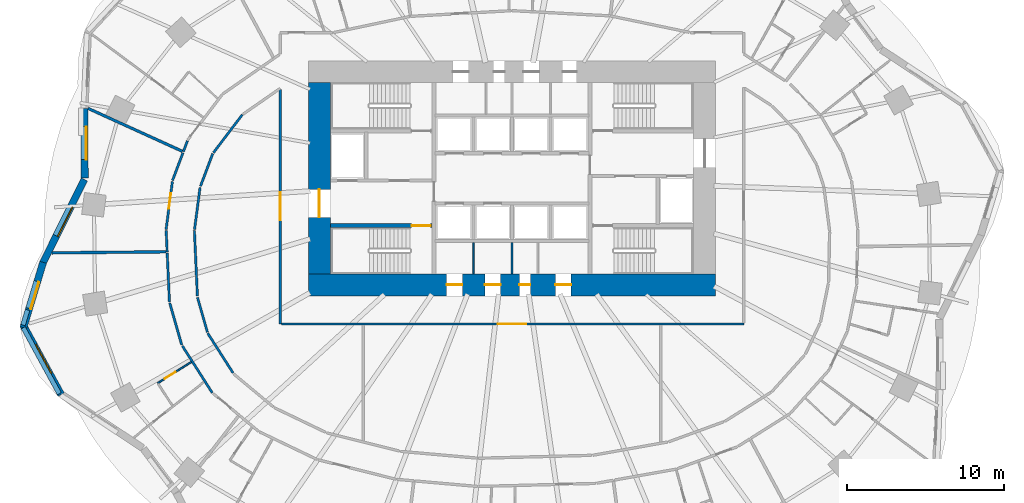
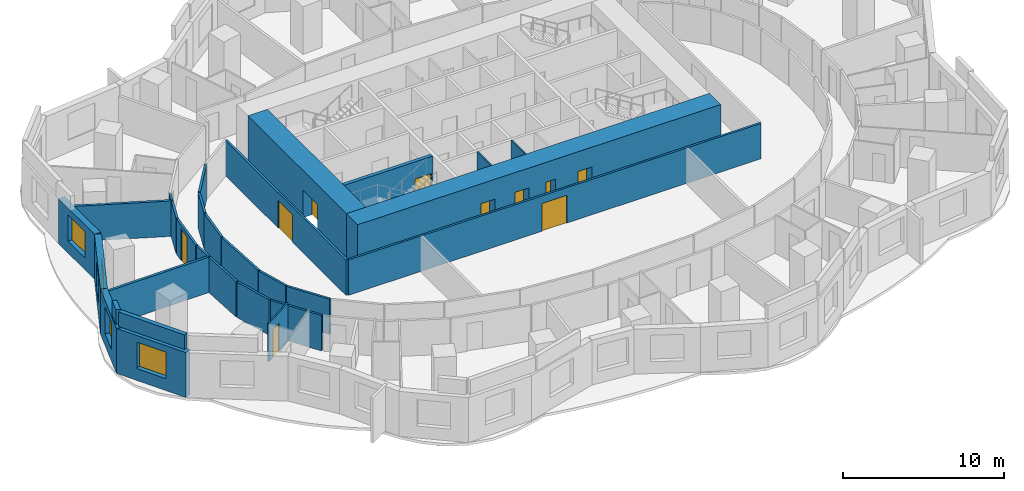
# One storey, part 4 of 11: 29 walls, 10 doors, 4 windows, 14 openings.
"""IFC4 building model written with IfcOpenShell, lengths in metres."""

import ifcopenshell
import ifcopenshell.guid

model = None  # the IFC model being written
_history = None  # IfcOwnerHistory: only IFC2X3 demands one
_inside = {}  # id of a spatial element -> (the spatial element, [elements in it])
_under = {}  # id of a project, library or spatial element -> (it, [spatial elements below it])
_declared = {}  # id of a project -> (the project, [libraries it declares])
_typed = {}  # id of a type object -> (the type object, [elements of that type])
_made_of = {}  # id of a material, layer set ... -> (it, [elements and type objects made of it])


def new_model(schema):
    """Start an empty IFC model of exactly this schema.

    Asked for "IFC4X3", IfcOpenShell would pick the latest addendum, in which some entities
    have other attributes; the version numbers below select the first issue.
    IFC2X3 requires an IfcOwnerHistory on every rooted entity: one is made here for all.
    """
    global model, _history
    if schema == "IFC4X3":
        model = ifcopenshell.file(schema_version=(4, 3, 0, 0))
    else:
        model = ifcopenshell.file(schema=schema)
    _inside.clear()
    _under.clear()
    _declared.clear()
    _typed.clear()
    _made_of.clear()
    _history = None
    if model.schema == "IFC2X3":
        org = make("IfcOrganization", Name="unknown")
        user = make(
            "IfcPersonAndOrganization",
            ThePerson=make("IfcPerson", FamilyName="unknown"),
            TheOrganization=org,
        )
        app = make(
            "IfcApplication",
            ApplicationDeveloper=org,
            Version="unknown",
            ApplicationFullName="unknown",
            ApplicationIdentifier="unknown",
        )
        _history = make(
            "IfcOwnerHistory",
            OwningUser=user,
            OwningApplication=app,
            ChangeAction="ADDED",
            CreationDate=0,
        )
    return model


def make(cls, **values):
    """One entity of the class cls with the attributes given. An attribute that is None is left unset."""
    return model.create_entity(
        cls, **{name: value for name, value in values.items() if value is not None}
    )


def rooted(cls, **values):
    """An entity with a GlobalId (a new one), such as an element, a storey or a relation."""
    return make(cls, GlobalId=ifcopenshell.guid.new(), OwnerHistory=_history, **values)


def si_unit(unit_type, name, prefix=None):
    """IfcSIUnit, for example si_unit("LENGTHUNIT", "METRE", prefix="MILLI")."""
    return make("IfcSIUnit", UnitType=unit_type, Prefix=prefix, Name=name)


def assignment(units):
    """IfcUnitAssignment: the units of a project."""
    return None if units is None else make("IfcUnitAssignment", Units=units)


def point(xyz):
    """IfcCartesianPoint."""
    return None if xyz is None else make("IfcCartesianPoint", Coordinates=xyz)


def direction(xyz):
    """IfcDirection."""
    return None if xyz is None else make("IfcDirection", DirectionRatios=xyz)


def frame(location, z_axis=None, x_axis=None):
    """IfcAxis2Placement3D, a coordinate frame: its origin and axes. An axis left out is left unset."""
    return make(
        "IfcAxis2Placement3D",
        Location=point(location),
        Axis=direction(z_axis),
        RefDirection=direction(x_axis),
    )


def frame_2d(location, x_axis=None):
    """IfcAxis2Placement2D, a coordinate frame in the plane: its origin and x axis."""
    return make(
        "IfcAxis2Placement2D", Location=point(location), RefDirection=direction(x_axis)
    )


def origin():
    """The frame at (0, 0, 0) with its axes left unset."""
    return frame((0.0, 0.0, 0.0))


def place(relative_to, where):
    """IfcLocalPlacement: puts the frame where relative to a parent placement (None: the world)."""
    return make(
        "IfcLocalPlacement", PlacementRelTo=relative_to, RelativePlacement=where
    )


def context(
    kind, dimensions, precision=None, world=None, true_north=None, identifier=None
):
    """IfcGeometricRepresentationContext, for example the 3D "Model" context."""
    return make(
        "IfcGeometricRepresentationContext",
        ContextIdentifier=identifier,
        ContextType=kind,
        CoordinateSpaceDimension=dimensions,
        Precision=precision,
        WorldCoordinateSystem=world,
        TrueNorth=true_north,
    )


def subcontext(parent, identifier, kind, view, scale=None):
    """IfcGeometricRepresentationSubContext, for example "Body" below "Model"."""
    return make(
        "IfcGeometricRepresentationSubContext",
        ContextIdentifier=identifier,
        ContextType=kind,
        ParentContext=parent,
        TargetScale=scale,
        TargetView=view,
    )


def project(units=None, contexts=None):
    """IfcProject with its units and contexts."""
    return rooted(
        "IfcProject",
        Name="project",
        RepresentationContexts=contexts,
        UnitsInContext=assignment(units),
    )


def spatial(cls, under=None, at=None, **own):
    """A site, building, storey or space (cls), placed at a placement, below another one or the project."""
    s = rooted(cls, ObjectPlacement=at, **own)
    if under is not None:
        _under.setdefault(under.id(), (under, []))[1].append(s)
    return s


def profile(cls, at=None, kind="AREA", **sizes):
    """A parametric profile (cls). Its sizes go by their IFC names, for example OverallWidth=200.0."""
    return make(cls, ProfileType=kind, Position=at, **sizes)


def rectangle(**sizes):
    """IfcRectangleProfileDef."""
    return profile("IfcRectangleProfileDef", **sizes)


def extrude(swept, where, along, depth):
    """IfcExtrudedAreaSolid: the profile swept, set in the frame where, extruded along a direction by depth."""
    return make(
        "IfcExtrudedAreaSolid",
        SweptArea=swept,
        Position=where,
        ExtrudedDirection=direction(along),
        Depth=depth,
    )


def shape(context_of_items, identifier, shape_type, items):
    """IfcShapeRepresentation: the items that make up one representation, for example the "Body"."""
    return make(
        "IfcShapeRepresentation",
        ContextOfItems=context_of_items,
        RepresentationIdentifier=identifier,
        RepresentationType=shape_type,
        Items=items,
    )


def material(Name=None, Category=None):
    """IfcMaterial."""
    return make("IfcMaterial", Name=Name, Category=Category)


def layer(
    of_material, thickness, ventilated=None, Name=None, Category=None, Priority=None
):
    """IfcMaterialLayer: one layer of a wall or slab, of a material (None: an air gap)."""
    return make(
        "IfcMaterialLayer",
        Material=of_material,
        LayerThickness=thickness,
        IsVentilated=ventilated,
        Name=Name,
        Category=Category,
        Priority=Priority,
    )


def layer_set(layers, Name=None):
    """IfcMaterialLayerSet."""
    return make("IfcMaterialLayerSet", MaterialLayers=layers, LayerSetName=Name)


def made_of(thing, what):
    """Note that an element or type object is made of a material, layer set ...; save() writes the relation."""
    if what is not None:
        _made_of.setdefault(what.id(), (what, []))[1].append(thing)
    return thing


def type_object(cls, material=None, **own):
    """A type object (cls), such as IfcWallType, which elements share."""
    return made_of(rooted(cls, **own), material)


def element(
    cls,
    number,
    at=None,
    inside=None,
    cuts=None,
    type_object=None,
    material=None,
    context=None,
    identifier="Body",
    shape_type=None,
    held_by="IfcProductDefinitionShape",
    body=None,
    shapes=None,
    **own,
):
    """One element of the class cls, such as IfcWall. Its Tag is "e" and its number.

    at: its placement. inside: the storey or other place that contains it. cuts: it is an
    opening in that element (IfcRelVoidsElement). A single representation is given by context,
    identifier, shape_type and body (its items); several are given by shapes. held_by: the class
    of the entity that holds the representations. save() writes the other relations.
    """
    e = rooted(cls, Tag="e%d" % number, ObjectPlacement=at, **own)
    if body is not None:
        shapes = [shape(context, identifier, shape_type, body)]
    if shapes is not None:
        e.Representation = make(held_by, Representations=shapes)
    if inside is not None:
        _inside.setdefault(inside.id(), (inside, []))[1].append(e)
    if cuts is not None:
        rooted(
            "IfcRelVoidsElement", RelatingBuildingElement=cuts, RelatedOpeningElement=e
        )
    if type_object is not None:
        _typed.setdefault(type_object.id(), (type_object, []))[1].append(e)
    return made_of(e, material)


def fill(opening, filler):
    """IfcRelFillsElement: the door or window that sits in an opening."""
    return rooted(
        "IfcRelFillsElement",
        RelatingOpeningElement=opening,
        RelatedBuildingElement=filler,
    )


def aggregate(whole, parts):
    """IfcRelAggregates: a whole, such as a stair, and the parts it consists of."""
    return rooted("IfcRelAggregates", RelatingObject=whole, RelatedObjects=parts)


def save(model, path):
    """Write the relations noted so far, then the file.

    IfcRelAggregates (storeys below a building ...), IfcRelContainedInSpatialStructure (elements
    in a storey), IfcRelDefinesByType, IfcRelAssociatesMaterial and IfcRelDeclares: one each for
    every whole, place, type object, material and project.
    """
    for whole, parts in _under.values():
        aggregate(whole, parts)
    for where, things in _inside.values():
        rooted(
            "IfcRelContainedInSpatialStructure",
            RelatedElements=things,
            RelatingStructure=where,
        )
    for kind, things in _typed.values():
        rooted("IfcRelDefinesByType", RelatedObjects=things, RelatingType=kind)
    for what, things in _made_of.values():
        rooted("IfcRelAssociatesMaterial", RelatedObjects=things, RelatingMaterial=what)
    for by, libraries in _declared.values():
        rooted("IfcRelDeclares", RelatingContext=by, RelatedDefinitions=libraries)
    model.write(path)


model = new_model("IFC4")

# Units and contexts
model_context = context("Model", 3, precision=1e-05, world=origin(), true_north=direction((0.0, 1.0)))
body_context = subcontext(model_context, "Body", "Model", "MODEL_VIEW")
ifc_project = project(units=[si_unit("LENGTHUNIT", "METRE"), si_unit("AREAUNIT", "SQUARE_METRE"), si_unit("VOLUMEUNIT", "CUBIC_METRE"), si_unit("PLANEANGLEUNIT", "RADIAN"), si_unit("MASSUNIT", "GRAM", prefix="KILO")], contexts=[model_context])

# Site, building, storey
site_placement = place(None, origin())
site = spatial("IfcSite", under=ifc_project, at=site_placement, CompositionType="ELEMENT")
building_placement = place(site_placement, origin())
building = spatial("IfcBuilding", under=site, at=building_placement, Name="Rubra Terraces Tower", CompositionType="ELEMENT")
storey_placement = place(building_placement, frame((0.0, 0.0, 37.5)))
storey = spatial("IfcBuildingStorey", under=building, at=storey_placement, Name="L06", CompositionType="ELEMENT", Elevation=37.5)

# Walls
ifc_material_1 = material(Name="Twin plasterboard on staggered steel stud, acoustic mineral wool", Category="steel")
ifc_layer_1 = layer(ifc_material_1, 0.175048828125)
ifc_layer_set_1 = layer_set([ifc_layer_1], Name="Twin plasterboard on staggered steel stud, acoustic mineral wool")
wall_type_1 = type_object("IfcWallType", Name="ACOUSTIC PARTY WALL 175", PredefinedType="PARTITIONING", material=ifc_layer_set_1)
wall_1_placement = place(storey_placement, frame((-27.055908203125, 8.9599609375, 0.0), z_axis=(0.0, 0.0, 1.0), x_axis=(0.91014850699, -0.414282144466, 0.0)))
element("IfcWall", 1, at=wall_1_placement, inside=storey, type_object=wall_type_1, Name="PARTITION", PredefinedType="PARTITIONING", context=body_context, shape_type="SweptSolid", body=[
    extrude(rectangle(XDim=6.6015625, YDim=0.175048828125, at=frame_2d((3.30078125, 0.0))), origin(), (0.0, 0.0, 1.0), 2.679931640625),
])
wall_2_placement = place(storey_placement, frame((-29.367919921875, -0.26220703125, 0.0), z_axis=(0.0, 0.0, 1.0), x_axis=(0.999956240095, 0.009355099959, 0.0)))
element("IfcWall", 2, at=wall_2_placement, inside=storey, type_object=wall_type_1, Name="PARTITION", PredefinedType="PARTITIONING", context=body_context, shape_type="SweptSolid", body=[
    extrude(rectangle(XDim=7.281005859375, YDim=0.175048828125, at=frame_2d((3.640625, 0.0))), origin(), (0.0, 0.0, 1.0), 2.679931640625),
])

# Wall, opening, window
ifc_material_2 = material(Name="Brick masonry red-brown", Category="masonry")
ifc_layer_2 = layer(ifc_material_2, 0.449951171875)
ifc_layer_set_2 = layer_set([ifc_layer_2], Name="Brick masonry red-brown")
wall_type_2 = type_object("IfcWallType", Name="Brick facade wall 450", PredefinedType="SOLIDWALL", material=ifc_layer_set_2)
wall_3_placement = place(storey_placement, frame((-27.284912109375, 8.966796875, 0.0), z_axis=(0.0, 0.0, 1.0), x_axis=(0.003185571797, -0.999994926053, 0.0)))
wall_3 = element("IfcWall", 3, at=wall_3_placement, inside=storey, type_object=wall_type_2, Name="Facade wall L06 bay 19", PredefinedType="SOLIDWALL", context=body_context, shape_type="SweptSolid", body=[
    extrude(rectangle(XDim=4.445068359375, YDim=0.449951171875, at=frame_2d((2.22265625, 0.0))), origin(), (0.0, 0.0, 1.0), 3.39990234375),
])
opening_1_placement = place(wall_3_placement, frame((1.172607421875, 0.0, 0.89990234375)))
opening_1 = element("IfcOpeningElement", 4, at=opening_1_placement, cuts=wall_3, Name="Opening W1", PredefinedType="OPENING", context=body_context, shape_type="SweptSolid", body=[
    extrude(rectangle(XDim=2.10009765625, YDim=2.0, at=frame_2d((1.050048828125, 1.0))), frame((0.0, 0.23486328125, 0.0), z_axis=(0.0, -1.0, 0.0), x_axis=(1.0, 0.0, 0.0)), (0.0, 0.0, 1.0), 0.469970703125),
])
ifc_material_3 = material(Name="Clear glass in aluminium frame", Category="aluminium")
window_type_1 = type_object("IfcWindowType", Name="Fixed deep-set window 2100 x 2000", PartitioningType="SINGLE_PANEL", PredefinedType="WINDOW", material=ifc_material_3)
window_1_placement = place(opening_1_placement, origin())
window_1 = element("IfcWindow", 5, at=window_1_placement, inside=storey, type_object=window_type_1, Name="Window L06 bay 19", OverallHeight=2.0, OverallWidth=2.10009765625, PartitioningType="SINGLE_PANEL", PredefinedType="WINDOW", context=body_context, shape_type="SweptSolid", body=[
    extrude(rectangle(XDim=2.10009765625, YDim=2.0, at=frame_2d((1.050048828125, 1.0))), frame((0.0, 0.135009765625, 0.0), z_axis=(0.0, -1.0, 0.0), x_axis=(1.0, 0.0, 0.0)), (0.0, 0.0, 1.0), 0.06005859375),
])
fill(opening_1, window_1)

wall_4_placement = place(storey_placement, frame((-27.294189453125, 4.426513671875, 0.0), z_axis=(0.0, 0.0, 1.0), x_axis=(-0.444913249375, -0.895573671191, 0.0)))
wall_4 = element("IfcWall", 6, at=wall_4_placement, inside=storey, type_object=wall_type_2, Name="Facade wall L06 bay 20", PredefinedType="SOLIDWALL", context=body_context, shape_type="SweptSolid", body=[
    extrude(rectangle(XDim=5.947265625, YDim=0.449951171875, at=frame_2d((2.9736328125, 0.0))), origin(), (0.0, 0.0, 1.0), 3.39990234375),
])
opening_2_placement = place(wall_4_placement, frame((1.923583984375, 0.0, 0.89990234375)))
opening_2 = element("IfcOpeningElement", 7, at=opening_2_placement, cuts=wall_4, Name="Opening W1", PredefinedType="OPENING", context=body_context, shape_type="SweptSolid", body=[
    extrude(rectangle(XDim=2.10009765625, YDim=2.0, at=frame_2d((1.050048828125, 1.0))), frame((0.0, 0.23486328125, 0.0), z_axis=(0.0, -1.0, 0.0), x_axis=(1.0, 0.0, 0.0)), (0.0, 0.0, 1.0), 0.469970703125),
])
window_2_placement = place(opening_2_placement, origin())
window_2 = element("IfcWindow", 8, at=window_2_placement, inside=storey, type_object=window_type_1, Name="Window L06 bay 20", OverallHeight=2.0, OverallWidth=2.10009765625, PartitioningType="SINGLE_PANEL", PredefinedType="WINDOW", context=body_context, shape_type="SweptSolid", body=[
    extrude(rectangle(XDim=2.10009765625, YDim=2.0, at=frame_2d((1.050048828125, 1.0))), frame((0.0, 0.135009765625, 0.0), z_axis=(0.0, -1.0, 0.0), x_axis=(1.0, 0.0, 0.0)), (0.0, 0.0, 1.0), 0.06005859375),
])
fill(opening_2, window_2)

wall_5_placement = place(storey_placement, frame((-29.926513671875, -0.86474609375, 0.0), z_axis=(0.0, 0.0, 1.0), x_axis=(-0.289432445378, -0.957198443147, 0.0)))
wall_5 = element("IfcWall", 9, at=wall_5_placement, inside=storey, type_object=wall_type_2, Name="Facade wall L06 bay 21", PredefinedType="SOLIDWALL", context=body_context, shape_type="SweptSolid", body=[
    extrude(rectangle(XDim=4.361083984375, YDim=0.449951171875, at=frame_2d((2.1806640625, 0.0))), origin(), (0.0, 0.0, 1.0), 3.39990234375),
])
opening_3_placement = place(wall_5_placement, frame((1.280517578125, 0.0, 0.89990234375)))
opening_3 = element("IfcOpeningElement", 10, at=opening_3_placement, cuts=wall_5, Name="Opening W6", PredefinedType="OPENING", context=body_context, shape_type="SweptSolid", body=[
    extrude(rectangle(XDim=1.800048828125, YDim=2.0, at=frame_2d((0.89990234375, 1.0))), frame((0.0, 0.23486328125, 0.0), z_axis=(0.0, -1.0, 0.0), x_axis=(1.0, 0.0, 0.0)), (0.0, 0.0, 1.0), 0.469970703125),
])
window_type_2 = type_object("IfcWindowType", Name="Fixed deep-set window at wind fin 1800 x 2000", PartitioningType="SINGLE_PANEL", PredefinedType="WINDOW", material=ifc_material_3)
window_3_placement = place(opening_3_placement, origin())
window_3 = element("IfcWindow", 11, at=window_3_placement, inside=storey, type_object=window_type_2, Name="Window L06 bay 21", OverallHeight=2.0, OverallWidth=1.800048828125, PartitioningType="SINGLE_PANEL", PredefinedType="WINDOW", context=body_context, shape_type="SweptSolid", body=[
    extrude(rectangle(XDim=1.800048828125, YDim=2.0, at=frame_2d((0.89990234375, 1.0))), frame((0.0, 0.135009765625, 0.0), z_axis=(0.0, -1.0, 0.0), x_axis=(1.0, 0.0, 0.0)), (0.0, 0.0, 1.0), 0.06005859375),
])
fill(opening_3, window_3)

wall_6_placement = place(storey_placement, frame((-31.20654296875, -4.8662109375, 0.0), z_axis=(0.0, 0.0, 1.0), x_axis=(0.479565142605, -0.877506281458, 0.0)))
wall_6 = element("IfcWall", 12, at=wall_6_placement, inside=storey, type_object=wall_type_2, Name="Facade wall L06 bay 22", PredefinedType="SOLIDWALL", context=body_context, shape_type="SweptSolid", body=[
    extrude(rectangle(XDim=5.060791015625, YDim=0.449951171875, at=frame_2d((2.5302734375, 0.0))), origin(), (0.0, 0.0, 1.0), 3.39990234375),
])
opening_4_placement = place(wall_6_placement, frame((1.48046875, 0.0, 0.89990234375)))
opening_4 = element("IfcOpeningElement", 13, at=opening_4_placement, cuts=wall_6, Name="Opening W1", PredefinedType="OPENING", context=body_context, shape_type="SweptSolid", body=[
    extrude(rectangle(XDim=2.10009765625, YDim=2.0, at=frame_2d((1.050048828125, 1.0))), frame((0.0, 0.23486328125, 0.0), z_axis=(0.0, -1.0, 0.0), x_axis=(1.0, 0.0, 0.0)), (0.0, 0.0, 1.0), 0.469970703125),
])
window_4_placement = place(opening_4_placement, origin())
window_4 = element("IfcWindow", 14, at=window_4_placement, inside=storey, type_object=window_type_1, Name="Window L06 bay 22", OverallHeight=2.0, OverallWidth=2.10009765625, PartitioningType="SINGLE_PANEL", PredefinedType="WINDOW", context=body_context, shape_type="SweptSolid", body=[
    extrude(rectangle(XDim=2.10009765625, YDim=2.0, at=frame_2d((1.050048828125, 1.0))), frame((0.0, 0.135009765625, 0.0), z_axis=(0.0, -1.0, 0.0), x_axis=(1.0, 0.0, 0.0)), (0.0, 0.0, 1.0), 0.06005859375),
])
fill(opening_4, window_4)

# Walls
ifc_layer_3 = layer(ifc_material_2, 0.300048828125)
ifc_layer_set_3 = layer_set([ifc_layer_3], Name="Brick masonry red-brown")
wall_type_3 = type_object("IfcWallType", Name="Brick parapet 300", PredefinedType="PARAPET", material=ifc_layer_set_3)
wall_7_placement = place(storey_placement, frame((-30.923583984375, -3.9033203125, 3.60009765625), z_axis=(0.0, 0.0, 1.0), x_axis=(-0.289368862089, -0.95721766681, 0.0)))
element("IfcWall", 15, at=wall_7_placement, inside=storey, type_object=wall_type_3, Name="Parapet L06 bay 21", PredefinedType="PARAPET", context=body_context, shape_type="SweptSolid", body=[
    extrude(rectangle(XDim=1.00830078125, YDim=0.300048828125, at=frame_2d((0.504150390625, 0.0))), origin(), (0.0, 0.0, 1.0), 1.099853515625),
])
wall_8_placement = place(storey_placement, frame((-31.19775390625, -5.038818359375, 3.60009765625), z_axis=(0.0, 0.0, 1.0), x_axis=(0.479564593641, -0.877506581472, 0.0)))
element("IfcWall", 16, at=wall_8_placement, inside=storey, type_object=wall_type_3, Name="Parapet L06 bay 22", PredefinedType="PARAPET", context=body_context, shape_type="SweptSolid", body=[
    extrude(rectangle(XDim=4.80078125, YDim=0.300048828125, at=frame_2d((2.400390625, 0.0))), origin(), (0.0, 0.0, 1.0), 1.099853515625),
])

# Wall, openings, doors
ifc_material_4 = material(Name="Concrete C70", Category="concrete")
ifc_layer_4 = layer(ifc_material_4, 1.39990234375)
ifc_layer_set_4 = layer_set([ifc_layer_4], Name="Concrete C70")
wall_type_4 = type_object("IfcWallType", Name="CORE WALL 1400 C70", PredefinedType="SHEAR", material=ifc_layer_set_4)
wall_9_placement = place(storey_placement, frame((-13.0, -2.300048828125, 0.0), z_axis=(0.0, 0.0, 1.0), x_axis=(1.0, 0.0, 0.0)))
wall_9 = element("IfcWall", 17, at=wall_9_placement, inside=storey, type_object=wall_type_4, Name="CORE WALL S L06", PredefinedType="SHEAR", context=body_context, shape_type="SweptSolid", body=[
    extrude(rectangle(XDim=26.0, YDim=1.39990234375, at=frame_2d((13.0, 0.0))), origin(), (0.0, 0.0, 1.0), 3.60009765625),
])
opening_5_placement = place(wall_9_placement, frame((8.824951171875, 0.0, 0.0)))
opening_5 = element("IfcOpeningElement", 18, at=opening_5_placement, cuts=wall_9, Name="Opening L06.C19", PredefinedType="OPENING", context=body_context, shape_type="SweptSolid", body=[
    extrude(rectangle(XDim=1.0, YDim=2.10009765625, at=frame_2d((0.5, 1.050048828125))), frame((0.0, 0.7099609375, 0.0), z_axis=(0.0, -1.0, 0.0), x_axis=(1.0, 0.0, 0.0)), (0.0, 0.0, 1.0), 1.419921875),
])
opening_6_placement = place(wall_9_placement, frame((11.27490234375, 0.0, 0.0)))
opening_6 = element("IfcOpeningElement", 19, at=opening_6_placement, cuts=wall_9, Name="Opening L06.C20", PredefinedType="OPENING", context=body_context, shape_type="SweptSolid", body=[
    extrude(rectangle(XDim=1.0, YDim=2.10009765625, at=frame_2d((0.5, 1.050048828125))), frame((0.0, 0.7099609375, 0.0), z_axis=(0.0, -1.0, 0.0), x_axis=(1.0, 0.0, 0.0)), (0.0, 0.0, 1.0), 1.419921875),
])
opening_7_placement = place(wall_9_placement, frame((13.47509765625, 0.0, 0.0)))
opening_7 = element("IfcOpeningElement", 20, at=opening_7_placement, cuts=wall_9, Name="Opening L06.C21", PredefinedType="OPENING", context=body_context, shape_type="SweptSolid", body=[
    extrude(rectangle(XDim=0.699951171875, YDim=2.10009765625, at=frame_2d((0.35009765625, 1.050048828125))), frame((0.0, 0.7099609375, 0.0), z_axis=(0.0, -1.0, 0.0), x_axis=(1.0, 0.0, 0.0)), (0.0, 0.0, 1.0), 1.419921875),
])
opening_8_placement = place(wall_9_placement, frame((15.77490234375, 0.0, 0.0)))
opening_8 = element("IfcOpeningElement", 21, at=opening_8_placement, cuts=wall_9, Name="Opening L06.C22", PredefinedType="OPENING", context=body_context, shape_type="SweptSolid", body=[
    extrude(rectangle(XDim=1.0, YDim=2.10009765625, at=frame_2d((0.5, 1.050048828125))), frame((0.0, 0.7099609375, 0.0), z_axis=(0.0, -1.0, 0.0), x_axis=(1.0, 0.0, 0.0)), (0.0, 0.0, 1.0), 1.419921875),
])
ifc_material_5 = material(Name="Painted steel", Category="steel")
door_type_1 = type_object("IfcDoorType", Name="Fire door 1000x2100 single", OperationType="NOTDEFINED", PredefinedType="DOOR", material=ifc_material_5)
door_1_placement = place(opening_5_placement, origin())
door_1 = element("IfcDoor", 22, at=door_1_placement, inside=storey, type_object=door_type_1, Name="Guest pantry door", OperationType="SINGLE_SWING_LEFT", OverallHeight=2.10009765625, OverallWidth=1.0, PredefinedType="DOOR", context=body_context, shape_type="SweptSolid", body=[
    extrude(rectangle(XDim=1.0, YDim=2.10009765625, at=frame_2d((0.5, 1.050048828125))), frame((0.0, 0.02490234375, 0.0), z_axis=(0.0, -1.0, 0.0), x_axis=(1.0, 0.0, 0.0)), (0.0, 0.0, 1.0), 0.050048828125),
])
fill(opening_5, door_1)
door_2_placement = place(opening_6_placement, origin())
door_2 = element("IfcDoor", 23, at=door_2_placement, inside=storey, type_object=door_type_1, Name="Linen store door", OperationType="SINGLE_SWING_RIGHT", OverallHeight=2.10009765625, OverallWidth=1.0, PredefinedType="DOOR", context=body_context, shape_type="SweptSolid", body=[
    extrude(rectangle(XDim=1.0, YDim=2.10009765625, at=frame_2d((0.5, 1.050048828125))), frame((0.0, 0.02490234375, 0.0), z_axis=(0.0, -1.0, 0.0), x_axis=(1.0, 0.0, 0.0)), (0.0, 0.0, 1.0), 0.050048828125),
])
fill(opening_6, door_2)
door_3_placement = place(opening_8_placement, origin())
door_3 = element("IfcDoor", 24, at=door_3_placement, inside=storey, type_object=door_type_1, Name="Housekeeping store door", OperationType="SINGLE_SWING_RIGHT", OverallHeight=2.10009765625, OverallWidth=1.0, PredefinedType="DOOR", context=body_context, shape_type="SweptSolid", body=[
    extrude(rectangle(XDim=1.0, YDim=2.10009765625, at=frame_2d((0.5, 1.050048828125))), frame((0.0, 0.02490234375, 0.0), z_axis=(0.0, -1.0, 0.0), x_axis=(1.0, 0.0, 0.0)), (0.0, 0.0, 1.0), 0.050048828125),
])
fill(opening_8, door_3)
door_type_2 = type_object("IfcDoorType", Name="Riser access door 700x2100 single", OperationType="NOTDEFINED", PredefinedType="DOOR", material=ifc_material_5)
door_4_placement = place(opening_7_placement, origin())
door_4 = element("IfcDoor", 25, at=door_4_placement, inside=storey, type_object=door_type_2, Name="Electrical riser room door", OperationType="SINGLE_SWING_LEFT", OverallHeight=2.10009765625, OverallWidth=0.699951171875, PredefinedType="DOOR", context=body_context, shape_type="SweptSolid", body=[
    extrude(rectangle(XDim=0.699951171875, YDim=2.10009765625, at=frame_2d((0.35009765625, 1.050048828125))), frame((0.0, 0.02490234375, 0.0), z_axis=(0.0, -1.0, 0.0), x_axis=(1.0, 0.0, 0.0)), (0.0, 0.0, 1.0), 0.050048828125),
])
fill(opening_7, door_4)

# Wall, opening, door
wall_10_placement = place(storey_placement, frame((-12.300048828125, -1.60009765625, 0.0), z_axis=(0.0, 0.0, 1.0), x_axis=(0.0, 1.0, 0.0)))
wall_10 = element("IfcWall", 26, at=wall_10_placement, inside=storey, type_object=wall_type_4, Name="CORE WALL W L06", PredefinedType="SHEAR", context=body_context, shape_type="SweptSolid", body=[
    extrude(rectangle(XDim=12.2001953125, YDim=1.39990234375, at=frame_2d((6.10009765625, 0.0))), origin(), (0.0, 0.0, 1.0), 3.60009765625),
])
opening_9_placement = place(wall_10_placement, frame((3.60009765625, 0.0, 0.0)))
opening_9 = element("IfcOpeningElement", 27, at=opening_9_placement, cuts=wall_10, Name="Opening L06.C01", PredefinedType="OPENING", context=body_context, shape_type="SweptSolid", body=[
    extrude(rectangle(XDim=1.800048828125, YDim=2.10009765625, at=frame_2d((0.89990234375, 1.050048828125))), frame((0.0, 0.7099609375, 0.0), z_axis=(0.0, -1.0, 0.0), x_axis=(1.0, 0.0, 0.0)), (0.0, 0.0, 1.0), 1.419921875),
])
door_type_3 = type_object("IfcDoorType", Name="Fire door 1800x2100 double", OperationType="NOTDEFINED", PredefinedType="DOOR", material=ifc_material_5)
door_5_placement = place(opening_9_placement, origin())
door_5 = element("IfcDoor", 28, at=door_5_placement, inside=storey, type_object=door_type_3, Name="Core entrance door FF1", OperationType="DOUBLE_DOOR_SINGLE_SWING", OverallHeight=2.10009765625, OverallWidth=1.800048828125, PredefinedType="DOOR", context=body_context, shape_type="SweptSolid", body=[
    extrude(rectangle(XDim=1.800048828125, YDim=2.10009765625, at=frame_2d((0.89990234375, 1.050048828125))), frame((0.0, 0.02490234375, 0.0), z_axis=(0.0, -1.0, 0.0), x_axis=(1.0, 0.0, 0.0)), (0.0, 0.0, 1.0), 0.050048828125),
])
fill(opening_9, door_5)

# Walls
ifc_material_6 = material(Name="Plasterboard on steel stud, mineral wool infill", Category="steel")
ifc_layer_5 = layer(ifc_material_6, 0.14990234375)
ifc_layer_set_5 = layer_set([ifc_layer_5], Name="Plasterboard on steel stud, mineral wool infill")
wall_type_5 = type_object("IfcWallType", Name="CORRIDOR PARTITION 150", PredefinedType="PARTITIONING", material=ifc_layer_set_5)
wall_11_placement = place(storey_placement, frame((-20.719970703125, 6.884521484375, 0.0), z_axis=(0.0, 0.0, 1.0), x_axis=(-0.3515587368, -0.936165826432, 0.0)))
element("IfcWall", 29, at=wall_11_placement, inside=storey, type_object=wall_type_5, Name="PARTITION", PredefinedType="PARTITIONING", context=body_context, shape_type="SweptSolid", body=[
    extrude(rectangle(XDim=0.737548828125, YDim=0.14990234375, at=frame_2d((0.36865234375, 0.0))), origin(), (0.0, 0.0, 1.0), 2.679931640625),
])
wall_12_placement = place(storey_placement, frame((-21.005615234375, 6.123779296875, 0.0), z_axis=(0.0, 0.0, 1.0), x_axis=(-0.351520845222, -0.936180054997, 0.0)))
element("IfcWall", 30, at=wall_12_placement, inside=storey, type_object=wall_type_5, Name="PARTITION", PredefinedType="PARTITIONING", context=body_context, shape_type="SweptSolid", body=[
    extrude(rectangle(XDim=1.885009765625, YDim=0.14990234375, at=frame_2d((0.9423828125, 0.0))), origin(), (0.0, 0.0, 1.0), 2.679931640625),
])

# Wall, opening, door
wall_13_placement = place(storey_placement, frame((-21.677978515625, 4.28466796875, 0.0), z_axis=(0.0, 0.0, 1.0), x_axis=(-0.129922755307, -0.991524118543, 0.0)))
wall_13 = element("IfcWall", 31, at=wall_13_placement, inside=storey, type_object=wall_type_5, Name="PARTITION", PredefinedType="PARTITIONING", context=body_context, shape_type="SweptSolid", body=[
    extrude(rectangle(XDim=3.076171875, YDim=0.14990234375, at=frame_2d((1.5380859375, 0.0))), origin(), (0.0, 0.0, 1.0), 2.679931640625),
])
opening_10_placement = place(wall_13_placement, frame((0.735107421875, 0.0, 0.0)))
opening_10 = element("IfcOpeningElement", 32, at=opening_10_placement, cuts=wall_13, Name="Opening 06-116", PredefinedType="OPENING", context=body_context, shape_type="SweptSolid", body=[
    extrude(rectangle(XDim=1.0, YDim=2.39990234375, at=frame_2d((0.5, 1.199951171875))), frame((0.0, 0.0849609375, 0.0), z_axis=(0.0, -1.0, 0.0), x_axis=(1.0, 0.0, 0.0)), (0.0, 0.0, 1.0), 0.169921875),
])
ifc_material_7 = material(Name="Glazed aluminium meeting door leaf", Category="aluminium")
door_type_4 = type_object("IfcDoorType", Name="MEETING ROOM GLAZED DOOR 1000 X 2400", OperationType="SINGLE_SWING_LEFT", PredefinedType="DOOR", material=ifc_material_7)
door_6_placement = place(opening_10_placement, origin())
door_6 = element("IfcDoor", 33, at=door_6_placement, inside=storey, type_object=door_type_4, Name="DOOR 06-116", OperationType="SINGLE_SWING_RIGHT", OverallHeight=2.39990234375, OverallWidth=1.0, PredefinedType="DOOR", context=body_context, shape_type="SweptSolid", body=[
    extrude(rectangle(XDim=1.0, YDim=2.39990234375, at=frame_2d((0.5, 1.199951171875))), frame((0.0, 0.02490234375, 0.0), z_axis=(0.0, -1.0, 0.0), x_axis=(1.0, 0.0, 0.0)), (0.0, 0.0, 1.0), 0.050048828125),
])
fill(opening_10, door_6)

# Walls
wall_14_placement = place(storey_placement, frame((-22.07421875, 1.159912109375, 0.0), z_axis=(0.0, 0.0, 1.0), x_axis=(0.045775526754, -0.998951751162, 0.0)))
element("IfcWall", 34, at=wall_14_placement, inside=storey, type_object=wall_type_5, Name="PARTITION", PredefinedType="PARTITIONING", context=body_context, shape_type="SweptSolid", body=[
    extrude(rectangle(XDim=1.354736328125, YDim=0.14990234375, at=frame_2d((0.67724609375, 0.0))), origin(), (0.0, 0.0, 1.0), 2.679931640625),
])
wall_15_placement = place(storey_placement, frame((-22.0087890625, -0.268310546875, 0.0), z_axis=(0.0, 0.0, 1.0), x_axis=(0.045899841803, -0.998946046853, 0.0)))
element("IfcWall", 35, at=wall_15_placement, inside=storey, type_object=wall_type_5, Name="PARTITION", PredefinedType="PARTITIONING", context=body_context, shape_type="SweptSolid", body=[
    extrude(rectangle(XDim=3.127685546875, YDim=0.14990234375, at=frame_2d((1.56396484375, 0.0))), origin(), (0.0, 0.0, 1.0), 2.679931640625),
])
wall_16_placement = place(storey_placement, frame((-21.8447265625, -3.46484375, 0.0), z_axis=(0.0, 0.0, 1.0), x_axis=(0.27482553005, -0.961494112323, 0.0)))
element("IfcWall", 36, at=wall_16_placement, inside=storey, type_object=wall_type_5, Name="PARTITION", PredefinedType="PARTITIONING", context=body_context, shape_type="SweptSolid", body=[
    extrude(rectangle(XDim=2.779541015625, YDim=0.14990234375, at=frame_2d((1.3896484375, 0.0))), origin(), (0.0, 0.0, 1.0), 2.679931640625),
])
wall_17_placement = place(storey_placement, frame((-21.04052734375, -6.20068359375, 0.0), z_axis=(0.0, 0.0, 1.0), x_axis=(0.537680823918, -0.843148463552, 0.0)))
element("IfcWall", 37, at=wall_17_placement, inside=storey, type_object=wall_type_5, Name="PARTITION", PredefinedType="PARTITIONING", context=body_context, shape_type="SweptSolid", body=[
    extrude(rectangle(XDim=3.54931640625, YDim=0.14990234375, at=frame_2d((1.774658203125, 0.0))), origin(), (0.0, 0.0, 1.0), 2.679931640625),
])
wall_18_placement = place(storey_placement, frame((-17.805419921875, -7.925537109375, 0.0), z_axis=(0.0, 0.0, 1.0), x_axis=(-0.537721158465, 0.843122740613, 0.0)))
element("IfcWall", 38, at=wall_18_placement, inside=storey, type_object=wall_type_5, Name="PARTITION", PredefinedType="PARTITIONING", context=body_context, shape_type="SweptSolid", body=[
    extrude(rectangle(XDim=3.006591796875, YDim=0.14990234375, at=frame_2d((1.50341796875, 0.0))), origin(), (0.0, 0.0, 1.0), 2.679931640625),
])
wall_19_placement = place(storey_placement, frame((-19.44287109375, -5.318603515625, 0.0), z_axis=(0.0, 0.0, 1.0), x_axis=(-0.274791002319, 0.961503980774, 0.0)))
element("IfcWall", 39, at=wall_19_placement, inside=storey, type_object=wall_type_5, Name="PARTITION", PredefinedType="PARTITIONING", context=body_context, shape_type="SweptSolid", body=[
    extrude(rectangle(XDim=2.307373046875, YDim=0.14990234375, at=frame_2d((1.15380859375, 0.0))), origin(), (0.0, 0.0, 1.0), 2.679931640625),
])
wall_20_placement = place(storey_placement, frame((-20.080322265625, -3.025390625, 0.0), z_axis=(0.0, 0.0, 1.0), x_axis=(-0.04581750387, 0.998949826738, 0.0)))
element("IfcWall", 40, at=wall_20_placement, inside=storey, type_object=wall_type_5, Name="PARTITION", PredefinedType="PARTITIONING", context=body_context, shape_type="SweptSolid", body=[
    extrude(rectangle(XDim=4.188232421875, YDim=0.14990234375, at=frame_2d((2.09423828125, 0.0))), origin(), (0.0, 0.0, 1.0), 2.679931640625),
])
wall_21_placement = place(storey_placement, frame((-20.262451171875, 1.23291015625, 0.0), z_axis=(0.0, 0.0, 1.0), x_axis=(0.129897568593, 0.991527418518, 0.0)))
element("IfcWall", 41, at=wall_21_placement, inside=storey, type_object=wall_type_5, Name="PARTITION", PredefinedType="PARTITIONING", context=body_context, shape_type="SweptSolid", body=[
    extrude(rectangle(XDim=2.710205078125, YDim=0.14990234375, at=frame_2d((1.35498046875, 0.0))), origin(), (0.0, 0.0, 1.0), 2.679931640625),
])
wall_22_placement = place(storey_placement, frame((-19.8837890625, 3.990234375, 0.0), z_axis=(0.0, 0.0, 1.0), x_axis=(0.351423736928, 0.936216511884, 0.0)))
element("IfcWall", 42, at=wall_22_placement, inside=storey, type_object=wall_type_5, Name="PARTITION", PredefinedType="PARTITIONING", context=body_context, shape_type="SweptSolid", body=[
    extrude(rectangle(XDim=2.227294921875, YDim=0.14990234375, at=frame_2d((1.11376953125, 0.0))), origin(), (0.0, 0.0, 1.0), 2.679931640625),
])
wall_23_placement = place(storey_placement, frame((-19.0556640625, 6.135009765625, 0.0), z_axis=(0.0, 0.0, 1.0), x_axis=(0.604999774258, 0.796225642107, 0.0)))
element("IfcWall", 43, at=wall_23_placement, inside=storey, type_object=wall_type_5, Name="PARTITION", PredefinedType="PARTITIONING", context=body_context, shape_type="SweptSolid", body=[
    extrude(rectangle(XDim=3.039794921875, YDim=0.14990234375, at=frame_2d((1.52001953125, 0.0))), origin(), (0.0, 0.0, 1.0), 2.679931640625),
])

# Wall, opening, door
wall_24_placement = place(storey_placement, frame((-14.800048828125, 10.159912109375, 0.0), z_axis=(0.0, 0.0, 1.0), x_axis=(0.0, -1.0, 0.0)))
wall_24 = element("IfcWall", 44, at=wall_24_placement, inside=storey, type_object=wall_type_5, Name="PARTITION", PredefinedType="PARTITIONING", context=body_context, shape_type="SweptSolid", body=[
    extrude(rectangle(XDim=14.9599609375, YDim=0.14990234375, at=frame_2d((7.47998046875, 0.0))), origin(), (0.0, 0.0, 1.0), 2.679931640625),
])
opening_11_placement = place(wall_24_placement, frame((6.5419921875, 0.0, 0.0)))
opening_11 = element("IfcOpeningElement", 45, at=opening_11_placement, cuts=wall_24, Name="Opening 06-135", PredefinedType="OPENING", context=body_context, shape_type="SweptSolid", body=[
    extrude(rectangle(XDim=1.800048828125, YDim=2.10009765625, at=frame_2d((0.89990234375, 1.050048828125))), frame((0.0, 0.0849609375, 0.0), z_axis=(0.0, -1.0, 0.0), x_axis=(1.0, 0.0, 0.0)), (0.0, 0.0, 1.0), 0.169921875),
])
ifc_material_8 = material(Name="Painted timber door leaf, double", Category="wood")
door_type_5 = type_object("IfcDoorType", Name="ROOM DOUBLE DOOR 1800 X 2100", OperationType="DOUBLE_DOOR_SINGLE_SWING", PredefinedType="DOOR", material=ifc_material_8)
door_7_placement = place(opening_11_placement, origin())
door_7 = element("IfcDoor", 46, at=door_7_placement, inside=storey, type_object=door_type_5, Name="DOOR 06-135", OperationType="DOUBLE_DOOR_SINGLE_SWING", OverallHeight=2.10009765625, OverallWidth=1.800048828125, PredefinedType="DOOR", context=body_context, shape_type="SweptSolid", body=[
    extrude(rectangle(XDim=1.800048828125, YDim=2.10009765625, at=frame_2d((0.89990234375, 1.050048828125))), frame((0.0, 0.02490234375, 0.0), z_axis=(0.0, -1.0, 0.0), x_axis=(1.0, 0.0, 0.0)), (0.0, 0.0, 1.0), 0.050048828125),
])
fill(opening_11, door_7)

wall_25_placement = place(storey_placement, frame((-14.72509765625, -4.800048828125, 0.0), z_axis=(0.0, 0.0, 1.0), x_axis=(1.0, 0.0, 0.0)))
wall_25 = element("IfcWall", 47, at=wall_25_placement, inside=storey, type_object=wall_type_5, Name="PARTITION", PredefinedType="PARTITIONING", context=body_context, shape_type="SweptSolid", body=[
    extrude(rectangle(XDim=29.525146484375, YDim=0.14990234375, at=frame_2d((14.7626953125, 0.0))), origin(), (0.0, 0.0, 1.0), 2.679931640625),
])
opening_12_placement = place(wall_25_placement, frame((13.824951171875, 0.0, 0.0)))
opening_12 = element("IfcOpeningElement", 48, at=opening_12_placement, cuts=wall_25, Name="Opening 06-136", PredefinedType="OPENING", context=body_context, shape_type="SweptSolid", body=[
    extrude(rectangle(XDim=1.800048828125, YDim=2.10009765625, at=frame_2d((0.89990234375, 1.050048828125))), frame((0.0, 0.0849609375, 0.0), z_axis=(0.0, -1.0, 0.0), x_axis=(1.0, 0.0, 0.0)), (0.0, 0.0, 1.0), 0.169921875),
])
door_8_placement = place(opening_12_placement, origin())
door_8 = element("IfcDoor", 49, at=door_8_placement, inside=storey, type_object=door_type_5, Name="DOOR 06-136", OperationType="DOUBLE_DOOR_SINGLE_SWING", OverallHeight=2.10009765625, OverallWidth=1.800048828125, PredefinedType="DOOR", context=body_context, shape_type="SweptSolid", body=[
    extrude(rectangle(XDim=1.800048828125, YDim=2.10009765625, at=frame_2d((0.89990234375, 1.050048828125))), frame((0.0, 0.02490234375, 0.0), z_axis=(0.0, -1.0, 0.0), x_axis=(1.0, 0.0, 0.0)), (0.0, 0.0, 1.0), 0.050048828125),
])
fill(opening_12, door_8)

ifc_material_9 = material(Name="Plasterboard on steel stud", Category="steel")
ifc_layer_6 = layer(ifc_material_9, 0.10009765625)
ifc_layer_set_6 = layer_set([ifc_layer_6], Name="Plasterboard on steel stud")
wall_type_6 = type_object("IfcWallType", Name="ROOM PARTITION 100", PredefinedType="PARTITIONING", material=ifc_layer_set_6)
wall_26_placement = place(storey_placement, frame((-20.473388671875, -7.2294921875, 0.0), z_axis=(0.0, 0.0, 1.0), x_axis=(-0.846326477526, -0.532664522414, 0.0)))
wall_26 = element("IfcWall", 50, at=wall_26_placement, inside=storey, type_object=wall_type_6, Name="PARTITION", PredefinedType="PARTITIONING", context=body_context, shape_type="SweptSolid", body=[
    extrude(rectangle(XDim=2.52490234375, YDim=0.10009765625, at=frame_2d((1.262451171875, 0.0))), origin(), (0.0, 0.0, 1.0), 2.884033203125),
])
opening_13_placement = place(wall_26_placement, frame((1.199951171875, 0.0, 0.0)))
opening_13 = element("IfcOpeningElement", 51, at=opening_13_placement, cuts=wall_26, Name="Opening 06-117", PredefinedType="OPENING", context=body_context, shape_type="SweptSolid", body=[
    extrude(rectangle(XDim=0.800048828125, YDim=2.10009765625, at=frame_2d((0.39990234375, 1.050048828125))), frame((0.0, 0.06005859375, 0.0), z_axis=(0.0, -1.0, 0.0), x_axis=(1.0, 0.0, 0.0)), (0.0, 0.0, 1.0), 0.1201171875),
])
ifc_material_10 = material(Name="Painted timber door leaf", Category="wood")
door_type_6 = type_object("IfcDoorType", Name="BATHROOM DOOR 800 X 2100", OperationType="SINGLE_SWING_LEFT", PredefinedType="DOOR", material=ifc_material_10)
door_9_placement = place(opening_13_placement, origin())
door_9 = element("IfcDoor", 52, at=door_9_placement, inside=storey, type_object=door_type_6, Name="DOOR 06-117", OperationType="SINGLE_SWING_LEFT", OverallHeight=2.10009765625, OverallWidth=0.800048828125, PredefinedType="DOOR", context=body_context, shape_type="SweptSolid", body=[
    extrude(rectangle(XDim=0.800048828125, YDim=2.10009765625, at=frame_2d((0.39990234375, 1.050048828125))), frame((0.0, 0.02490234375, 0.0), z_axis=(0.0, -1.0, 0.0), x_axis=(1.0, 0.0, 0.0)), (0.0, 0.0, 1.0), 0.050048828125),
])
fill(opening_13, door_9)

# Walls
ifc_material_11 = material(Name="Blockwork", Category="masonry")
ifc_layer_7 = layer(ifc_material_11, 0.10009765625)
ifc_layer_set_7 = layer_set([ifc_layer_7], Name="Blockwork")
wall_type_7 = type_object("IfcWallType", Name="Service partition 100 blockwork", PredefinedType="PARTITIONING", material=ifc_layer_set_7)
for number, where, z_axis, x_axis, name in (
    (53, (-2.449951171875, -1.60009765625, 0.0), (0.0, 0.0, 1.0), (0.0, 1.0, 0.0), "SERVICE ROOM PARTITION L06"),
    (54, (0.0, -1.60009765625, 0.0), (0.0, 0.0, 1.0), (0.0, 1.0, 0.0), "SERVICE ROOM PARTITION L06"),
):
    element("IfcWall", number, at=place(storey_placement, frame(where, z_axis=z_axis, x_axis=x_axis)), inside=storey, type_object=wall_type_7, Name=name, PredefinedType="PARTITIONING", context=body_context, shape_type="SweptSolid", body=[
        extrude(rectangle(XDim=2.0, YDim=0.10009765625, at=frame_2d((1.0, 0.0))), origin(), (0.0, 0.0, 1.0), 3.39990234375),
    ])

# Wall, opening, door
ifc_material_12 = material(Name="Concrete C40", Category="concrete")
ifc_layer_8 = layer(ifc_material_12, 0.25)
ifc_layer_set_8 = layer_set([ifc_layer_8], Name="Concrete C40")
wall_type_8 = type_object("IfcWallType", Name="Stair enclosure wall 250 concrete", PredefinedType="SOLIDWALL", material=ifc_layer_set_8)
wall_27_placement = place(storey_placement, frame((-11.60009765625, 1.47509765625, 0.0), z_axis=(0.0, 0.0, 1.0), x_axis=(1.0, 0.0, 0.0)))
wall_27 = element("IfcWall", 55, at=wall_27_placement, inside=storey, type_object=wall_type_8, Name="STAIR WALL L06", PredefinedType="SOLIDWALL", context=body_context, shape_type="SweptSolid", body=[
    extrude(rectangle(XDim=6.5, YDim=0.25, at=frame_2d((3.25, 0.0))), origin(), (0.0, 0.0, 1.0), 3.39990234375),
])
opening_14_placement = place(wall_27_placement, frame((5.199951171875, 0.0, 0.0)))
opening_14 = element("IfcOpeningElement", 56, at=opening_14_placement, cuts=wall_27, Name="Opening L06.C07", PredefinedType="OPENING", context=body_context, shape_type="SweptSolid", body=[
    extrude(rectangle(XDim=1.199951171875, YDim=2.10009765625, at=frame_2d((0.60009765625, 1.050048828125))), frame((0.0, 0.135009765625, 0.0), z_axis=(0.0, -1.0, 0.0), x_axis=(1.0, 0.0, 0.0)), (0.0, 0.0, 1.0), 0.27001953125),
])
door_type_7 = type_object("IfcDoorType", Name="Fire door 1200x2100 single", OperationType="NOTDEFINED", PredefinedType="DOOR", material=ifc_material_5)
door_10_placement = place(opening_14_placement, origin())
door_10 = element("IfcDoor", 57, at=door_10_placement, inside=storey, type_object=door_type_7, Name="Stair door S1", OperationType="SINGLE_SWING_LEFT", OverallHeight=2.10009765625, OverallWidth=1.199951171875, PredefinedType="DOOR", context=body_context, shape_type="SweptSolid", body=[
    extrude(rectangle(XDim=1.199951171875, YDim=2.10009765625, at=frame_2d((0.60009765625, 1.050048828125))), frame((0.0, 0.02490234375, 0.0), z_axis=(0.0, -1.0, 0.0), x_axis=(1.0, 0.0, 0.0)), (0.0, 0.0, 1.0), 0.050048828125),
])
fill(opening_14, door_10)

save(model, "model.ifc")
